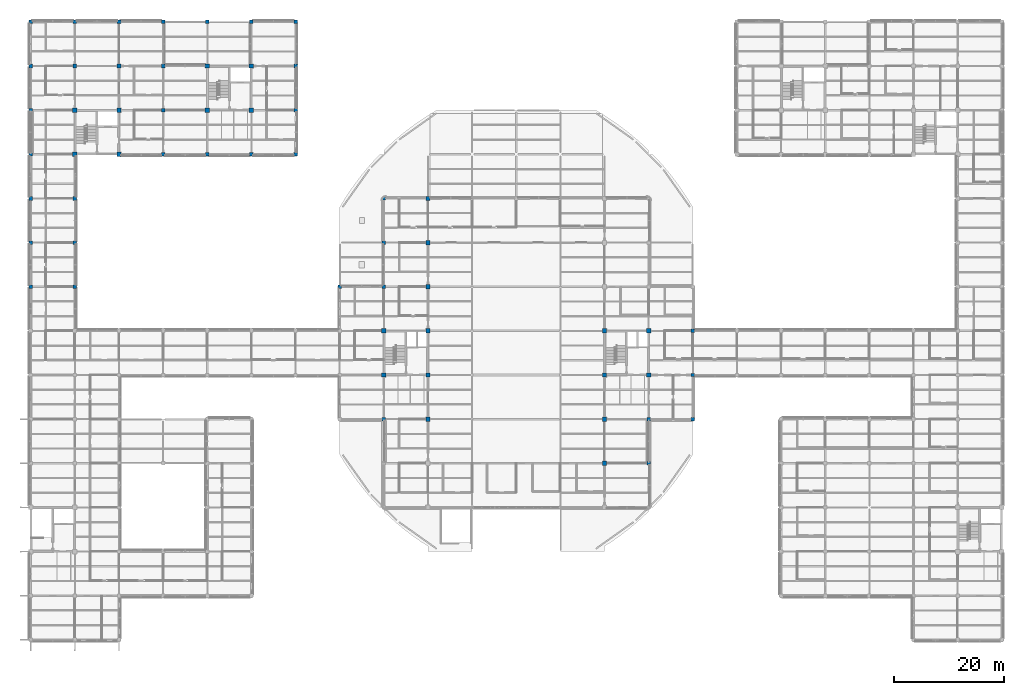
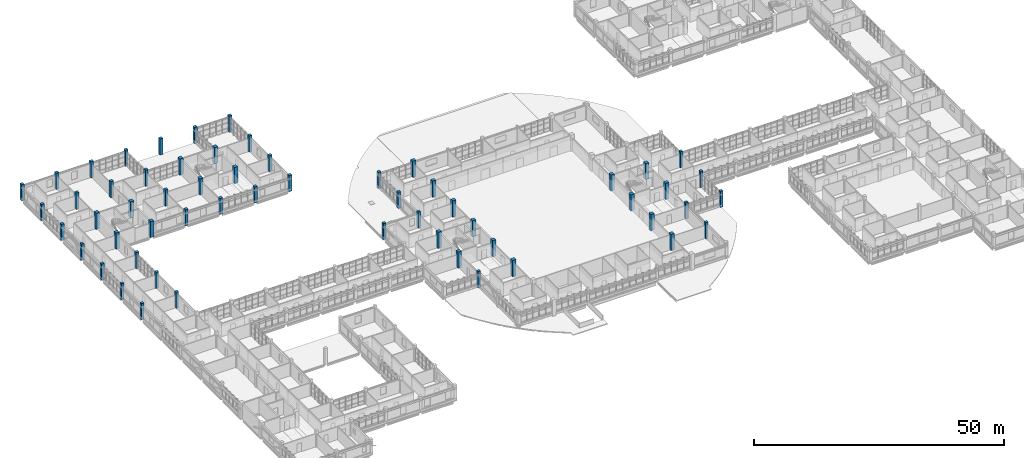
# One storey, part 3 of 126: 58 columns.
"""IFC4 building model written with IfcOpenShell, lengths in metres."""

from ifc_helpers import new_model, si_unit, derived_unit, direction, frame, origin, origin_2d, place, context, subcontext, project, spatial, rectangle, extrude, material, material_profile, profile_set, type_object, element, save


model = new_model("IFC4")

# Units and contexts
model_context = context("Model", 3, precision=1e-05, world=origin(), true_north=direction((0.0, 1.0)))
body_context = subcontext(model_context, "Body", "Model", "MODEL_VIEW")
ifc_project = project(units=[si_unit("LENGTHUNIT", "METRE"), si_unit("AREAUNIT", "SQUARE_METRE"), si_unit("VOLUMEUNIT", "CUBIC_METRE"), si_unit("PLANEANGLEUNIT", "RADIAN"), si_unit("MASSUNIT", "GRAM", prefix="KILO"), derived_unit("THERMALTRANSMITTANCEUNIT", [(si_unit("MASSUNIT", "GRAM", prefix="KILO"), 1), (si_unit("TIMEUNIT", "SECOND"), -3), (si_unit("THERMODYNAMICTEMPERATUREUNIT", "KELVIN"), -1)])], contexts=[model_context])

# Site, building, storey
site_placement = place(None, origin())
site = spatial("IfcSite", under=ifc_project, at=site_placement, CompositionType="ELEMENT")
building_placement = place(site_placement, origin())
building = spatial("IfcBuilding", under=site, at=building_placement, Name="Veyamyaing Civic Hall", CompositionType="ELEMENT")
storey_placement = place(building_placement, frame((0.0, 0.0, 9.89990234375)))
storey = spatial("IfcBuildingStorey", under=building, at=storey_placement, Name="L02", CompositionType="ELEMENT", Elevation=9.89990234375)

# Columns
ifc_material = material(Name="Concrete C45/55", Category="concrete")
ifc_material_profile_1 = material_profile(ifc_material, rectangle(XDim=0.800048828125, YDim=0.800048828125, at=origin_2d()), Name="RC-COL-800X800")
ifc_profile_set_1 = profile_set([ifc_material_profile_1], Name="Concrete C45/55")
column_type_1 = type_object("IfcColumnType", Name="C-02", PredefinedType="COLUMN", material=ifc_profile_set_1)
for number, where, z_axis, x_axis, name in (
    (1, (8.0, 88.0, 0.0), (0.0, 0.0, 1.0), (1.0, 0.0, 0.0), "Column C-02 2-M L02"),
    (2, (8.0, 96.0, 0.0), (0.0, 0.0, 1.0), (1.0, 0.0, 0.0), "Column C-02 2-N L02"),
    (3, (16.0, 88.0, 0.0), (0.0, 0.0, 1.0), (1.0, 0.0, 0.0), "Column C-02 3-M L02"),
    (4, (16.0, 96.0, 0.0), (0.0, 0.0, 1.0), (1.0, 0.0, 0.0), "Column C-02 3-N L02"),
    (5, (32.0, 96.0, 0.0), (0.0, 0.0, 1.0), (1.0, 0.0, 0.0), "Column C-02 5-N L02"),
    (6, (32.0, 104.0, 0.0), (0.0, 0.0, 1.0), (1.0, 0.0, 0.0), "Column C-02 5-P L02"),
    (7, (40.0, 96.0, 0.0), (0.0, 0.0, 1.0), (1.0, 0.0, 0.0), "Column C-02 6-N L02"),
    (8, (40.0, 104.0, 0.0), (0.0, 0.0, 1.0), (1.0, 0.0, 0.0), "Column C-02 6-P L02"),
    (9, (64.0, 48.0, 0.0), (0.0, 0.0, 1.0), (1.0, 0.0, 0.0), "Column C-02 9-G L02"),
    (10, (64.0, 56.0, 0.0), (0.0, 0.0, 1.0), (1.0, 0.0, 0.0), "Column C-02 9-H L02"),
    (11, (72.0, 40.0, 0.0), (0.0, 0.0, 1.0), (1.0, 0.0, 0.0), "Column C-02 10-F L02"),
    (12, (72.0, 48.0, 0.0), (0.0, 0.0, 1.0), (1.0, 0.0, 0.0), "Column C-02 10-G L02"),
    (13, (72.0, 56.0, 0.0), (0.0, 0.0, 1.0), (1.0, 0.0, 0.0), "Column C-02 10-H L02"),
    (14, (72.0, 64.0, 0.0), (0.0, 0.0, 1.0), (1.0, 0.0, 0.0), "Column C-02 10-J L02"),
    (15, (72.0, 72.0, 0.0), (0.0, 0.0, 1.0), (1.0, 0.0, 0.0), "Column C-02 10-K L02"),
    (16, (72.0, 80.0, 0.0), (0.0, 0.0, 1.0), (1.0, 0.0, 0.0), "Column C-02 10-L L02"),
    (17, (104.0, 32.0, 0.0), (0.0, 0.0, 1.0), (1.0, 0.0, 0.0), "Column C-02 14-E L02"),
    (18, (104.0, 40.0, 0.0), (0.0, 0.0, 1.0), (1.0, 0.0, 0.0), "Column C-02 14-F L02"),
    (19, (104.0, 48.0, 0.0), (0.0, 0.0, 1.0), (1.0, 0.0, 0.0), "Column C-02 14-G L02"),
    (20, (104.0, 56.0, 0.0), (0.0, 0.0, 1.0), (1.0, 0.0, 0.0), "Column C-02 14-H L02"),
    (21, (112.0, 48.0, 0.0), (0.0, 0.0, 1.0), (1.0, 0.0, 0.0), "Column C-02 15-G L02"),
    (22, (112.0, 56.0, 0.0), (0.0, 0.0, 1.0), (1.0, 0.0, 0.0), "Column C-02 15-H L02"),
):
    element("IfcColumn", number, at=place(storey_placement, frame(where, z_axis=z_axis, x_axis=x_axis)), inside=storey, type_object=column_type_1, Name=name, PredefinedType="COLUMN", context=body_context, shape_type="SweptSolid", body=[
        extrude(rectangle(XDim=0.800048828125, YDim=0.800048828125, at=origin_2d()), origin(), (0.0, 0.0, 1.0), 3.960205078125),
    ])
ifc_material_profile_2 = material_profile(ifc_material, rectangle(XDim=0.64990234375, YDim=0.64990234375, at=origin_2d()), Name="RC-COL-650X650")
ifc_profile_set_2 = profile_set([ifc_material_profile_2], Name="Concrete C45/55")
column_type_2 = type_object("IfcColumnType", Name="C-05", PredefinedType="COLUMN", material=ifc_profile_set_2)
for number, where, z_axis, x_axis, name in (
    (23, (0.0, 80.0, 0.0), (0.0, 0.0, 1.0), (1.0, 0.0, 0.0), "Column C-05 1-L L02"),
    (24, (0.0, 88.0, 0.0), (0.0, 0.0, 1.0), (1.0, 0.0, 0.0), "Column C-05 1-M L02"),
    (25, (0.0, 96.0, 0.0), (0.0, 0.0, 1.0), (1.0, 0.0, 0.0), "Column C-05 1-N L02"),
    (26, (0.0, 104.0, 0.0), (0.0, 0.0, 1.0), (1.0, 0.0, 0.0), "Column C-05 1-P L02"),
    (27, (0.0, 112.0, 0.0), (0.0, 0.0, 1.0), (1.0, 0.0, 0.0), "Column C-05 1-Q L02"),
    (28, (8.0, 80.0, 0.0), (0.0, 0.0, 1.0), (1.0, 0.0, 0.0), "Column C-05 2-L L02"),
    (29, (8.0, 104.0, 0.0), (0.0, 0.0, 1.0), (1.0, 0.0, 0.0), "Column C-05 2-P L02"),
    (30, (8.0, 112.0, 0.0), (0.0, 0.0, 1.0), (1.0, 0.0, 0.0), "Column C-05 2-Q L02"),
    (31, (16.0, 104.0, 0.0), (0.0, 0.0, 1.0), (1.0, 0.0, 0.0), "Column C-05 3-P L02"),
    (32, (16.0, 112.0, 0.0), (0.0, 0.0, 1.0), (1.0, 0.0, 0.0), "Column C-05 3-Q L02"),
    (33, (24.0, 88.0, 0.0), (0.0, 0.0, 1.0), (1.0, 0.0, 0.0), "Column C-05 4-M L02"),
    (34, (24.0, 96.0, 0.0), (0.0, 0.0, 1.0), (1.0, 0.0, 0.0), "Column C-05 4-N L02"),
    (35, (24.0, 104.0, 0.0), (0.0, 0.0, 1.0), (1.0, 0.0, 0.0), "Column C-05 4-P L02"),
    (36, (24.0, 112.0, 0.0), (0.0, 0.0, 1.0), (1.0, 0.0, 0.0), "Column C-05 4-Q L02"),
    (37, (32.0, 88.0, 0.0), (0.0, 0.0, 1.0), (1.0, 0.0, 0.0), "Column C-05 5-M L02"),
    (38, (32.0, 112.0, 0.0), (0.0, 0.0, 1.0), (1.0, 0.0, 0.0), "Column C-05 5-Q L02"),
    (39, (40.0, 88.0, 0.0), (0.0, 0.0, 1.0), (1.0, 0.0, 0.0), "Column C-05 6-M L02"),
    (40, (40.0, 112.0, 0.0), (0.0, 0.0, 1.0), (1.0, 0.0, 0.0), "Column C-05 6-Q L02"),
    (41, (48.0, 88.0, 0.0), (0.0, 0.0, 1.0), (1.0, 0.0, 0.0), "Column C-05 7-M L02"),
    (42, (48.0, 96.0, 0.0), (0.0, 0.0, 1.0), (1.0, 0.0, 0.0), "Column C-05 7-N L02"),
    (43, (48.0, 104.0, 0.0), (0.0, 0.0, 1.0), (1.0, 0.0, 0.0), "Column C-05 7-P L02"),
    (44, (48.0, 112.0, 0.0), (0.0, 0.0, 1.0), (1.0, 0.0, 0.0), "Column C-05 7-Q L02"),
):
    element("IfcColumn", number, at=place(storey_placement, frame(where, z_axis=z_axis, x_axis=x_axis)), inside=storey, type_object=column_type_2, Name=name, PredefinedType="COLUMN", context=body_context, shape_type="SweptSolid", body=[
        extrude(rectangle(XDim=0.64990234375, YDim=0.64990234375, at=origin_2d()), origin(), (0.0, 0.0, 1.0), 3.960205078125),
    ])
ifc_material_profile_3 = material_profile(ifc_material, rectangle(XDim=0.60009765625, YDim=0.60009765625, at=origin_2d()), Name="RC-COL-600X600")
ifc_profile_set_3 = profile_set([ifc_material_profile_3], Name="Concrete C45/55")
column_type_3 = type_object("IfcColumnType", Name="C-06", PredefinedType="COLUMN", material=ifc_profile_set_3)
for number, where, z_axis, x_axis, name in (
    (45, (0.0, 64.0, 0.0), (0.0, 0.0, 1.0), (1.0, 0.0, 0.0), "Column C-06 1-J L02"),
    (46, (0.0, 72.0, 0.0), (0.0, 0.0, 1.0), (1.0, 0.0, 0.0), "Column C-06 1-K L02"),
    (47, (8.0, 64.0, 0.0), (0.0, 0.0, 1.0), (1.0, 0.0, 0.0), "Column C-06 2-J L02"),
    (48, (8.0, 72.0, 0.0), (0.0, 0.0, 1.0), (1.0, 0.0, 0.0), "Column C-06 2-K L02"),
    (49, (56.0, 64.0, 0.0), (0.0, 0.0, 1.0), (1.0, 0.0, 0.0), "Column C-06 8-J L02"),
    (50, (64.0, 40.0, 0.0), (0.0, 0.0, 1.0), (1.0, 0.0, 0.0), "Column C-06 9-F L02"),
    (51, (64.0, 64.0, 0.0), (0.0, 0.0, 1.0), (1.0, 0.0, 0.0), "Column C-06 9-J L02"),
    (52, (64.0, 72.0, 0.0), (0.0, 0.0, 1.0), (1.0, 0.0, 0.0), "Column C-06 9-K L02"),
    (53, (64.0, 80.0, 0.0), (0.0, 0.0, 1.0), (1.0, 0.0, 0.0), "Column C-06 9-L L02"),
    (54, (112.0, 32.0, 0.0), (0.0, 0.0, 1.0), (1.0, 0.0, 0.0), "Column C-06 15-E L02"),
    (55, (112.0, 40.0, 0.0), (0.0, 0.0, 1.0), (1.0, 0.0, 0.0), "Column C-06 15-F L02"),
    (56, (120.0, 40.0, 0.0), (0.0, 0.0, 1.0), (1.0, 0.0, 0.0), "Column C-06 16-F L02"),
    (57, (120.0, 48.0, 0.0), (0.0, 0.0, 1.0), (1.0, 0.0, 0.0), "Column C-06 16-G L02"),
    (58, (120.0, 56.0, 0.0), (0.0, 0.0, 1.0), (1.0, 0.0, 0.0), "Column C-06 16-H L02"),
):
    element("IfcColumn", number, at=place(storey_placement, frame(where, z_axis=z_axis, x_axis=x_axis)), inside=storey, type_object=column_type_3, Name=name, PredefinedType="COLUMN", context=body_context, shape_type="SweptSolid", body=[
        extrude(rectangle(XDim=0.60009765625, YDim=0.60009765625, at=origin_2d()), origin(), (0.0, 0.0, 1.0), 3.960205078125),
    ])

save(model, "model.ifc")
